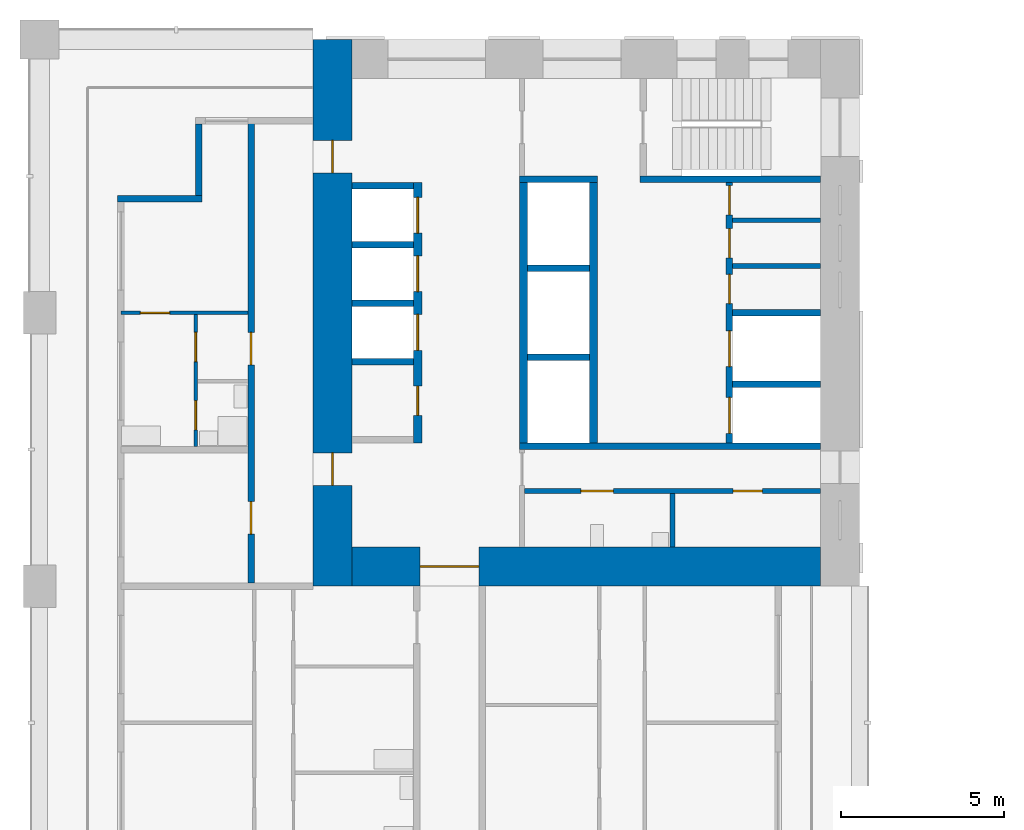
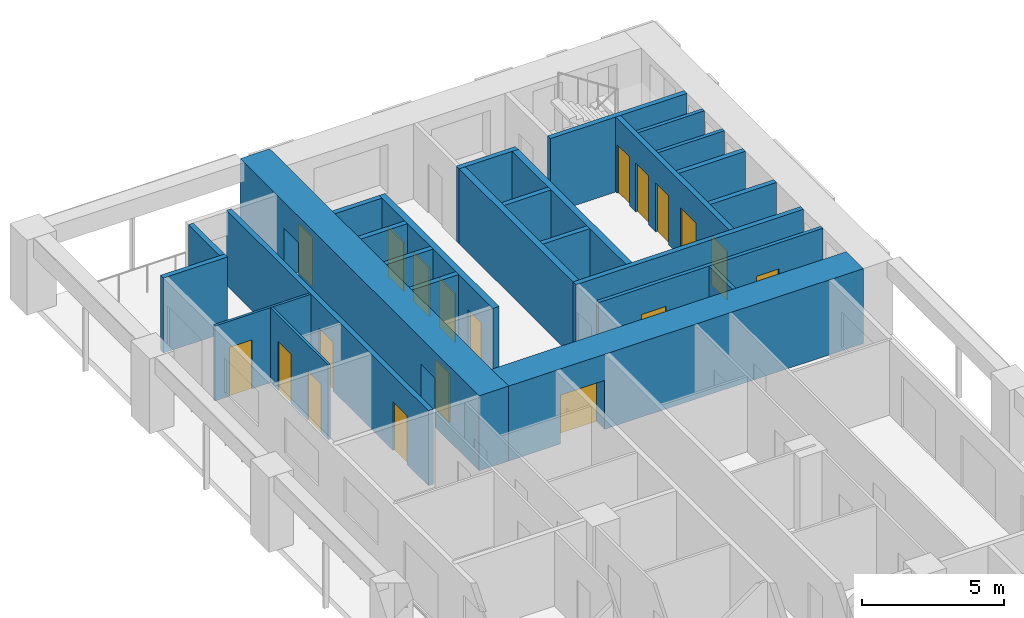
# One storey, part 7 of 17: 26 walls, 19 doors, 19 openings.
"""IFC4 building model written with IfcOpenShell, lengths in metres."""

from ifc_helpers import new_model, si_unit, direction, frame, frame_2d, origin, place, context, subcontext, project, spatial, rectangle, extrude, material, layer, layer_set, type_object, element, fill, save


model = new_model("IFC4")

# Units and contexts
model_context = context("Model", 3, precision=1e-05, world=origin(), true_north=direction((0.0, 1.0)))
body_context = subcontext(model_context, "Body", "Model", "MODEL_VIEW")
ifc_project = project(units=[si_unit("LENGTHUNIT", "METRE"), si_unit("AREAUNIT", "SQUARE_METRE"), si_unit("VOLUMEUNIT", "CUBIC_METRE"), si_unit("PLANEANGLEUNIT", "RADIAN"), si_unit("MASSUNIT", "GRAM", prefix="KILO")], contexts=[model_context])

# Site, building, storey
site_placement = place(None, origin())
site = spatial("IfcSite", under=ifc_project, at=site_placement, CompositionType="ELEMENT")
building_placement = place(site_placement, origin())
building = spatial("IfcBuilding", under=site, at=building_placement, Name="Vermilion Gate Residences", CompositionType="ELEMENT")
storey_placement = place(building_placement, frame((0.0, 0.0, 116.199951171875)))
storey = spatial("IfcBuildingStorey", under=building, at=storey_placement, Name="L29", CompositionType="ELEMENT", Elevation=116.199951171875)

# Walls
ifc_material_1 = material(Name="Masonry blockwork", Category="masonry")
ifc_layer_1 = layer(ifc_material_1, 0.14990234375)
ifc_layer_set_1 = layer_set([ifc_layer_1], Name="BLOCKWORK PARTITION 150 EI 120")
wall_type_1 = type_object("IfcWallType", Name="BLOCKWORK PARTITION 150 EI 120", PredefinedType="PARTITIONING", material=ifc_layer_set_1)
for number, where, z_axis, x_axis, name in (
    (1, (21.300048828125, 53.2451171875, 0.0), (0.0, 0.0, 1.0), (1.0, 0.0, 0.0), "Core room partition B29-NR-P0"),
    (2, (21.300048828125, 51.8349609375, 0.0), (0.0, 0.0, 1.0), (1.0, 0.0, 0.0), "Core room partition B29-NR-P1"),
):
    element("IfcWall", number, at=place(storey_placement, frame(where, z_axis=z_axis, x_axis=x_axis)), inside=storey, type_object=wall_type_1, Name=name, PredefinedType="PARTITIONING", context=body_context, shape_type="SweptSolid", body=[
        extrude(rectangle(XDim=2.699951171875, YDim=0.14990234375, at=frame_2d((1.35009765625, 0.0))), origin(), (0.0, 0.0, 1.0), 3.219970703125),
    ])
wall_1_placement = place(storey_placement, frame((19.449951171875, 44.85009765625, 0.0), z_axis=(0.0, 0.0, 1.0), x_axis=(0.0, -1.0, 0.0)))
element("IfcWall", 3, at=wall_1_placement, inside=storey, type_object=wall_type_1, Name="Core room partition B29-ES-P0", PredefinedType="PARTITIONING", context=body_context, shape_type="SweptSolid", body=[
    extrude(rectangle(XDim=1.650146484375, YDim=0.14990234375, at=frame_2d((0.8251953125, 0.0))), origin(), (0.0, 0.0, 1.0), 3.219970703125),
])

# Wall, openings, doors
wall_2_placement = place(storey_placement, frame((14.89990234375, 44.925048828125, 0.0), z_axis=(0.0, 0.0, 1.0), x_axis=(1.0, 0.0, 0.0)))
wall_2 = element("IfcWall", 4, at=wall_2_placement, inside=storey, type_object=wall_type_1, Name="Core room partition B29-ES-W", PredefinedType="PARTITIONING", context=body_context, shape_type="SweptSolid", body=[
    extrude(rectangle(XDim=9.10009765625, YDim=0.14990234375, at=frame_2d((4.550048828125, 0.0))), origin(), (0.0, 0.0, 1.0), 3.219970703125),
])
opening_1_placement = place(wall_2_placement, frame((1.737548828125, 0.0, 0.0)))
opening_1 = element("IfcOpeningElement", 5, at=opening_1_placement, cuts=wall_2, Name="Opening DK29116", PredefinedType="OPENING", context=body_context, shape_type="SweptSolid", body=[
    extrude(rectangle(XDim=1.0, YDim=2.10009765625, at=frame_2d((0.5, 1.050048828125))), frame((0.0, 0.0849609375, 0.0), z_axis=(0.0, -1.0, 0.0), x_axis=(1.0, 0.0, 0.0)), (0.0, 0.0, 1.0), 0.169921875),
])
opening_2_placement = place(wall_2_placement, frame((6.41259765625, 0.0, 0.0)))
opening_2 = element("IfcOpeningElement", 6, at=opening_2_placement, cuts=wall_2, Name="Opening DK29117", PredefinedType="OPENING", context=body_context, shape_type="SweptSolid", body=[
    extrude(rectangle(XDim=0.89990234375, YDim=2.10009765625, at=frame_2d((0.449951171875, 1.050048828125))), frame((0.0, 0.0849609375, 0.0), z_axis=(0.0, -1.0, 0.0), x_axis=(1.0, 0.0, 0.0)), (0.0, 0.0, 1.0), 0.169921875),
])
ifc_material_2 = material(Name="Steel", Category="steel")
door_type_1 = type_object("IfcDoorType", Name="FIRE DOOR FD60 1000 X 2100", OperationType="SINGLE_SWING_LEFT", PredefinedType="DOOR", material=ifc_material_2)
door_1_placement = place(opening_1_placement, frame((1.0, 0.0, 0.0), z_axis=(0.0, 0.0, 1.0), x_axis=(-1.0, 0.0, 0.0)))
door_1 = element("IfcDoor", 7, at=door_1_placement, inside=storey, type_object=door_type_1, Name="Accessible WC B29", OperationType="SINGLE_SWING_RIGHT", OverallHeight=2.10009765625, OverallWidth=1.0, PredefinedType="DOOR", context=body_context, shape_type="SweptSolid", body=[
    extrude(rectangle(XDim=1.0, YDim=2.10009765625, at=frame_2d((0.5, 1.050048828125))), frame((0.0, 0.02490234375, 0.0), z_axis=(0.0, -1.0, 0.0), x_axis=(1.0, 0.0, 0.0)), (0.0, 0.0, 1.0), 0.050048828125),
])
fill(opening_1, door_1)
ifc_material_3 = material(Name="Steel", Category="steel")
door_type_2 = type_object("IfcDoorType", Name="SERVICE ROOM DOOR FD60 900 X 2100", OperationType="SINGLE_SWING_LEFT", PredefinedType="DOOR", material=ifc_material_3)
door_2_placement = place(opening_2_placement, frame((0.89990234375, 0.0, 0.0), z_axis=(0.0, 0.0, 1.0), x_axis=(-1.0, 0.0, 0.0)))
door_2 = element("IfcDoor", 8, at=door_2_placement, inside=storey, type_object=door_type_2, Name="Refuse room B29", OperationType="SINGLE_SWING_RIGHT", OverallHeight=2.10009765625, OverallWidth=0.89990234375, PredefinedType="DOOR", context=body_context, shape_type="SweptSolid", body=[
    extrude(rectangle(XDim=0.89990234375, YDim=2.10009765625, at=frame_2d((0.449951171875, 1.050048828125))), frame((0.0, 0.02490234375, 0.0), z_axis=(0.0, -1.0, 0.0), x_axis=(1.0, 0.0, 0.0)), (0.0, 0.0, 1.0), 0.050048828125),
])
fill(opening_2, door_2)

# Walls
ifc_material_4 = material(Name="Insulated steel stud wall with terracotta rainscreen", Category="masonry")
ifc_layer_2 = layer(ifc_material_4, 0.199951171875)
ifc_layer_set_2 = layer_set([ifc_layer_2], Name="EXTERNAL WALL 200 TERRACOTTA RAINSCREEN")
wall_type_2 = type_object("IfcWallType", Name="EXTERNAL WALL 200 TERRACOTTA RAINSCREEN", PredefinedType="SOLIDWALL", material=ifc_layer_set_2)
wall_3_placement = place(storey_placement, frame((4.89990234375, 56.199951171875, 0.0), z_axis=(0.0, 0.0, 1.0), x_axis=(0.0, -1.0, 0.0)))
element("IfcWall", 9, at=wall_3_placement, inside=storey, type_object=wall_type_2, Name="External wall", PredefinedType="SOLIDWALL", context=body_context, shape_type="SweptSolid", body=[
    extrude(rectangle(XDim=2.199951171875, YDim=0.199951171875, at=frame_2d((1.10009765625, 0.0))), origin(), (0.0, 0.0, 1.0), 3.219970703125),
])
wall_4_placement = place(storey_placement, frame((5.0, 53.89990234375, 0.0), z_axis=(0.0, 0.0, 1.0), x_axis=(-1.0, 0.0, 0.0)))
element("IfcWall", 10, at=wall_4_placement, inside=storey, type_object=wall_type_2, Name="External wall", PredefinedType="SOLIDWALL", context=body_context, shape_type="SweptSolid", body=[
    extrude(rectangle(XDim=2.60009765625, YDim=0.199951171875, at=frame_2d((1.300048828125, 0.0))), origin(), (0.0, 0.0, 1.0), 3.219970703125),
])

# Wall, opening, door
ifc_material_5 = material(Name="Plasterboard on steel studs", Category="steel")
ifc_layer_3 = layer(ifc_material_5, 0.10009765625)
ifc_layer_set_3 = layer_set([ifc_layer_3], Name="PARTITION 100")
wall_type_3 = type_object("IfcWallType", Name="PARTITION 100", PredefinedType="PARTITIONING", material=ifc_layer_set_3)
wall_5_placement = place(storey_placement, frame((2.5, 50.39990234375, 0.0), z_axis=(0.0, 0.0, 1.0), x_axis=(1.0, 0.0, 0.0)))
wall_5 = element("IfcWall", 11, at=wall_5_placement, inside=storey, type_object=wall_type_3, Name="Partition", PredefinedType="PARTITIONING", context=body_context, shape_type="SweptSolid", body=[
    extrude(rectangle(XDim=3.89990234375, YDim=0.10009765625, at=frame_2d((1.949951171875, 0.0))), origin(), (0.0, 0.0, 1.0), 3.219970703125),
])
opening_3_placement = place(wall_5_placement, frame((0.60009765625, 0.0, 0.0)))
opening_3 = element("IfcOpeningElement", 12, at=opening_3_placement, cuts=wall_5, Name="Opening DA28019", PredefinedType="OPENING", context=body_context, shape_type="SweptSolid", body=[
    extrude(rectangle(XDim=0.89990234375, YDim=2.10009765625, at=frame_2d((0.449951171875, 1.050048828125))), frame((0.0, 0.06005859375, 0.0), z_axis=(0.0, -1.0, 0.0), x_axis=(1.0, 0.0, 0.0)), (0.0, 0.0, 1.0), 0.1201171875),
])
ifc_material_6 = material(Name="Timber", Category="wood")
door_type_3 = type_object("IfcDoorType", Name="INTERIOR DOOR 900 X 2100", OperationType="SINGLE_SWING_LEFT", PredefinedType="DOOR", material=ifc_material_6)
door_3_placement = place(opening_3_placement, frame((0.89990234375, 0.0, 0.0), z_axis=(0.0, 0.0, 1.0), x_axis=(-1.0, 0.0, 0.0)))
door_3 = element("IfcDoor", 13, at=door_3_placement, inside=storey, type_object=door_type_3, Name="Interior door", OperationType="SINGLE_SWING_RIGHT", OverallHeight=2.10009765625, OverallWidth=0.89990234375, PredefinedType="DOOR", context=body_context, shape_type="SweptSolid", body=[
    extrude(rectangle(XDim=0.89990234375, YDim=2.10009765625, at=frame_2d((0.449951171875, 1.050048828125))), frame((0.0, 0.02490234375, 0.0), z_axis=(0.0, -1.0, 0.0), x_axis=(1.0, 0.0, 0.0)), (0.0, 0.0, 1.0), 0.050048828125),
])
fill(opening_3, door_3)

# Wall, openings, doors
wall_6_placement = place(storey_placement, frame((4.800048828125, 46.300048828125, 0.0), z_axis=(0.0, 0.0, 1.0), x_axis=(0.0, 1.0, 0.0)))
wall_6 = element("IfcWall", 14, at=wall_6_placement, inside=storey, type_object=wall_type_3, Name="Partition", PredefinedType="PARTITIONING", context=body_context, shape_type="SweptSolid", body=[
    extrude(rectangle(XDim=4.050048828125, YDim=0.10009765625, at=frame_2d((2.02490234375, 0.0))), origin(), (0.0, 0.0, 1.0), 3.219970703125),
])
opening_4_placement = place(wall_6_placement, frame((2.60009765625, 0.0, 0.0)))
opening_4 = element("IfcOpeningElement", 15, at=opening_4_placement, cuts=wall_6, Name="Opening DA28020", PredefinedType="OPENING", context=body_context, shape_type="SweptSolid", body=[
    extrude(rectangle(XDim=0.89990234375, YDim=2.10009765625, at=frame_2d((0.449951171875, 1.050048828125))), frame((0.0, 0.06005859375, 0.0), z_axis=(0.0, -1.0, 0.0), x_axis=(1.0, 0.0, 0.0)), (0.0, 0.0, 1.0), 0.1201171875),
])
opening_5_placement = place(wall_6_placement, frame((0.5, 0.0, 0.0)))
opening_5 = element("IfcOpeningElement", 16, at=opening_5_placement, cuts=wall_6, Name="Opening DA28021", PredefinedType="OPENING", context=body_context, shape_type="SweptSolid", body=[
    extrude(rectangle(XDim=0.89990234375, YDim=2.10009765625, at=frame_2d((0.449951171875, 1.050048828125))), frame((0.0, 0.06005859375, 0.0), z_axis=(0.0, -1.0, 0.0), x_axis=(1.0, 0.0, 0.0)), (0.0, 0.0, 1.0), 0.1201171875),
])
door_4_placement = place(opening_4_placement, origin())
door_4 = element("IfcDoor", 17, at=door_4_placement, inside=storey, type_object=door_type_3, Name="Interior door", OperationType="SINGLE_SWING_RIGHT", OverallHeight=2.10009765625, OverallWidth=0.89990234375, PredefinedType="DOOR", context=body_context, shape_type="SweptSolid", body=[
    extrude(rectangle(XDim=0.89990234375, YDim=2.10009765625, at=frame_2d((0.449951171875, 1.050048828125))), frame((0.0, 0.02490234375, 0.0), z_axis=(0.0, -1.0, 0.0), x_axis=(1.0, 0.0, 0.0)), (0.0, 0.0, 1.0), 0.050048828125),
])
fill(opening_4, door_4)
door_5_placement = place(opening_5_placement, frame((0.89990234375, 0.0, 0.0), z_axis=(0.0, 0.0, 1.0), x_axis=(-1.0, 0.0, 0.0)))
door_5 = element("IfcDoor", 18, at=door_5_placement, inside=storey, type_object=door_type_3, Name="Interior door", OperationType="SINGLE_SWING_RIGHT", OverallHeight=2.10009765625, OverallWidth=0.89990234375, PredefinedType="DOOR", context=body_context, shape_type="SweptSolid", body=[
    extrude(rectangle(XDim=0.89990234375, YDim=2.10009765625, at=frame_2d((0.449951171875, 1.050048828125))), frame((0.0, 0.02490234375, 0.0), z_axis=(0.0, -1.0, 0.0), x_axis=(1.0, 0.0, 0.0)), (0.0, 0.0, 1.0), 0.050048828125),
])
fill(opening_5, door_5)

ifc_material_7 = material(Name="Fire-rated plasterboard on steel studs", Category="steel")
ifc_layer_4 = layer(ifc_material_7, 0.199951171875)
ifc_layer_set_4 = layer_set([ifc_layer_4], Name="PARTY WALL 200 EI 120")
wall_type_4 = type_object("IfcWallType", Name="PARTY WALL 200 EI 120", PredefinedType="PARTITIONING", material=ifc_layer_set_4)
wall_7_placement = place(storey_placement, frame((6.5, 42.10009765625, 0.0), z_axis=(0.0, 0.0, 1.0), x_axis=(0.0, 1.0, 0.0)))
wall_7 = element("IfcWall", 19, at=wall_7_placement, inside=storey, type_object=wall_type_4, Name="Party and corridor wall", PredefinedType="PARTITIONING", context=body_context, shape_type="SweptSolid", body=[
    extrude(rectangle(XDim=14.199951171875, YDim=0.199951171875, at=frame_2d((7.10009765625, 0.0))), origin(), (0.0, 0.0, 1.0), 3.219970703125),
])
opening_6_placement = place(wall_7_placement, frame((1.5, 0.0, 0.0)))
opening_6 = element("IfcOpeningElement", 20, at=opening_6_placement, cuts=wall_7, Name="Opening DA28022", PredefinedType="OPENING", context=body_context, shape_type="SweptSolid", body=[
    extrude(rectangle(XDim=1.0, YDim=2.10009765625, at=frame_2d((0.5, 1.050048828125))), frame((0.0, 0.10986328125, 0.0), z_axis=(0.0, -1.0, 0.0), x_axis=(1.0, 0.0, 0.0)), (0.0, 0.0, 1.0), 0.219970703125),
])
opening_7_placement = place(wall_7_placement, frame((6.699951171875, 0.0, 0.0)))
opening_7 = element("IfcOpeningElement", 21, at=opening_7_placement, cuts=wall_7, Name="Opening DA28023", PredefinedType="OPENING", context=body_context, shape_type="SweptSolid", body=[
    extrude(rectangle(XDim=1.0, YDim=2.10009765625, at=frame_2d((0.5, 1.050048828125))), frame((0.0, 0.10986328125, 0.0), z_axis=(0.0, -1.0, 0.0), x_axis=(1.0, 0.0, 0.0)), (0.0, 0.0, 1.0), 0.219970703125),
])
ifc_material_8 = material(Name="Steel", Category="steel")
door_type_4 = type_object("IfcDoorType", Name="ENTRANCE DOOR 1000 X 2100 FD30", OperationType="SINGLE_SWING_LEFT", PredefinedType="DOOR", material=ifc_material_8)
door_6_placement = place(opening_6_placement, origin())
door_6 = element("IfcDoor", 22, at=door_6_placement, inside=storey, type_object=door_type_4, Name="Entrance door", OperationType="SINGLE_SWING_LEFT", OverallHeight=2.10009765625, OverallWidth=1.0, PredefinedType="DOOR", context=body_context, shape_type="SweptSolid", body=[
    extrude(rectangle(XDim=1.0, YDim=2.10009765625, at=frame_2d((0.5, 1.050048828125))), frame((0.0, 0.02490234375, 0.0), z_axis=(0.0, -1.0, 0.0), x_axis=(1.0, 0.0, 0.0)), (0.0, 0.0, 1.0), 0.050048828125),
])
fill(opening_6, door_6)
door_7_placement = place(opening_7_placement, origin())
door_7 = element("IfcDoor", 23, at=door_7_placement, inside=storey, type_object=door_type_4, Name="Entrance door", OperationType="SINGLE_SWING_LEFT", OverallHeight=2.10009765625, OverallWidth=1.0, PredefinedType="DOOR", context=body_context, shape_type="SweptSolid", body=[
    extrude(rectangle(XDim=1.0, YDim=2.10009765625, at=frame_2d((0.5, 1.050048828125))), frame((0.0, 0.02490234375, 0.0), z_axis=(0.0, -1.0, 0.0), x_axis=(1.0, 0.0, 0.0)), (0.0, 0.0, 1.0), 0.050048828125),
])
fill(opening_7, door_7)

# Walls
ifc_material_9 = material(Name="Concrete C60", Category="concrete")
ifc_layer_5 = layer(ifc_material_9, 0.199951171875)
ifc_layer_set_5 = layer_set([ifc_layer_5], Name="RC CORE INTERNAL WALL 200 C60")
wall_type_5 = type_object("IfcWallType", Name="RC CORE INTERNAL WALL 200 C60", PredefinedType="SHEAR", material=ifc_layer_set_5)
for number, where, z_axis, x_axis, name in (
    (24, (9.60009765625, 54.300048828125, 0.0), (0.0, 0.0, 1.0), (1.0, 0.0, 0.0), "Core internal wall B29-LR-D0"),
    (25, (9.60009765625, 52.5, 0.0), (0.0, 0.0, 1.0), (1.0, 0.0, 0.0), "Core internal wall B29-LR-D1"),
    (26, (9.60009765625, 50.699951171875, 0.0), (0.0, 0.0, 1.0), (1.0, 0.0, 0.0), "Core internal wall B29-LR-D2"),
    (27, (9.60009765625, 48.89990234375, 0.0), (0.0, 0.0, 1.0), (1.0, 0.0, 0.0), "Core internal wall B29-LR-D3"),
    (28, (15.0, 51.7666015625, 0.0), (0.0, 0.0, 1.0), (1.0, 0.0, 0.0), "Core internal wall B29-HR-D1"),
    (29, (15.0, 49.033447265625, 0.0), (0.0, 0.0, 1.0), (1.0, 0.0, 0.0), "Core internal wall B29-HR-D2"),
):
    element("IfcWall", number, at=place(storey_placement, frame(where, z_axis=z_axis, x_axis=x_axis)), inside=storey, type_object=wall_type_5, Name=name, PredefinedType="SHEAR", context=body_context, shape_type="SweptSolid", body=[
        extrude(rectangle(XDim=1.89990234375, YDim=0.199951171875, at=frame_2d((0.949951171875, 0.0))), origin(), (0.0, 0.0, 1.0), 3.219970703125),
    ])
for number, where, z_axis, x_axis, name in (
    (30, (21.300048828125, 50.39990234375, 0.0), (0.0, 0.0, 1.0), (1.0, 0.0, 0.0), "Core internal wall B29-FF-D0"),
    (31, (21.300048828125, 48.199951171875, 0.0), (0.0, 0.0, 1.0), (1.0, 0.0, 0.0), "Core internal wall B29-FF-D1"),
):
    element("IfcWall", number, at=place(storey_placement, frame(where, z_axis=z_axis, x_axis=x_axis)), inside=storey, type_object=wall_type_5, Name=name, PredefinedType="SHEAR", context=body_context, shape_type="SweptSolid", body=[
        extrude(rectangle(XDim=2.699951171875, YDim=0.199951171875, at=frame_2d((1.35009765625, 0.0))), origin(), (0.0, 0.0, 1.0), 3.219970703125),
    ])

# Wall, openings, doors
wall_8_placement = place(storey_placement, frame((21.199951171875, 54.39990234375, 0.0), z_axis=(0.0, 0.0, 1.0), x_axis=(0.0, -1.0, 0.0)))
wall_8 = element("IfcWall", 32, at=wall_8_placement, inside=storey, type_object=wall_type_5, Name="Core internal wall B29-FF-F", PredefinedType="SHEAR", context=body_context, shape_type="SweptSolid", body=[
    extrude(rectangle(XDim=8.0, YDim=0.199951171875, at=frame_2d((4.0, 0.0))), origin(), (0.0, 0.0, 1.0), 3.219970703125),
])
opening_8_placement = place(wall_8_placement, frame((0.090087890625, 0.0, 0.0)))
opening_8 = element("IfcOpeningElement", 33, at=opening_8_placement, cuts=wall_8, Name="Opening DK29108", PredefinedType="OPENING", context=body_context, shape_type="SweptSolid", body=[
    extrude(rectangle(XDim=0.89990234375, YDim=2.10009765625, at=frame_2d((0.449951171875, 1.050048828125))), frame((0.0, 0.10986328125, 0.0), z_axis=(0.0, -1.0, 0.0), x_axis=(1.0, 0.0, 0.0)), (0.0, 0.0, 1.0), 0.219970703125),
])
opening_9_placement = place(wall_8_placement, frame((1.409912109375, 0.0, 0.0)))
opening_9 = element("IfcOpeningElement", 34, at=opening_9_placement, cuts=wall_8, Name="Opening DK29109", PredefinedType="OPENING", context=body_context, shape_type="SweptSolid", body=[
    extrude(rectangle(XDim=0.89990234375, YDim=2.10009765625, at=frame_2d((0.449951171875, 1.050048828125))), frame((0.0, 0.10986328125, 0.0), z_axis=(0.0, -1.0, 0.0), x_axis=(1.0, 0.0, 0.0)), (0.0, 0.0, 1.0), 0.219970703125),
])
opening_10_placement = place(wall_8_placement, frame((2.820068359375, 0.0, 0.0)))
opening_10 = element("IfcOpeningElement", 35, at=opening_10_placement, cuts=wall_8, Name="Opening DK29110", PredefinedType="OPENING", context=body_context, shape_type="SweptSolid", body=[
    extrude(rectangle(XDim=0.89990234375, YDim=2.10009765625, at=frame_2d((0.449951171875, 1.050048828125))), frame((0.0, 0.10986328125, 0.0), z_axis=(0.0, -1.0, 0.0), x_axis=(1.0, 0.0, 0.0)), (0.0, 0.0, 1.0), 0.219970703125),
])
opening_11_placement = place(wall_8_placement, frame((4.550048828125, 0.0, 0.0)))
opening_11 = element("IfcOpeningElement", 36, at=opening_11_placement, cuts=wall_8, Name="Opening LD", PredefinedType="OPENING", context=body_context, shape_type="SweptSolid", body=[
    extrude(rectangle(XDim=1.10009765625, YDim=2.10009765625, at=frame_2d((0.550048828125, 1.050048828125))), frame((0.0, 0.10986328125, 0.0), z_axis=(0.0, -1.0, 0.0), x_axis=(1.0, 0.0, 0.0)), (0.0, 0.0, 1.0), 0.219970703125),
])
opening_12_placement = place(wall_8_placement, frame((6.60009765625, 0.0, 0.0)))
opening_12 = element("IfcOpeningElement", 37, at=opening_12_placement, cuts=wall_8, Name="Opening LD", PredefinedType="OPENING", context=body_context, shape_type="SweptSolid", body=[
    extrude(rectangle(XDim=1.10009765625, YDim=2.10009765625, at=frame_2d((0.550048828125, 1.050048828125))), frame((0.0, 0.10986328125, 0.0), z_axis=(0.0, -1.0, 0.0), x_axis=(1.0, 0.0, 0.0)), (0.0, 0.0, 1.0), 0.219970703125),
])
ifc_material_10 = material(Name="Stainless steel", Category="steel")
door_type_5 = type_object("IfcDoorType", Name="LIFT LANDING DOOR E60 1100 X 2100", OperationType="DOUBLE_DOOR_SLIDING", PredefinedType="DOOR", material=ifc_material_10)
door_8_placement = place(opening_11_placement, origin())
door_8 = element("IfcDoor", 38, at=door_8_placement, inside=storey, type_object=door_type_5, Name="Lift landing door LFB1", OperationType="DOUBLE_DOOR_SLIDING", OverallHeight=2.10009765625, OverallWidth=1.10009765625, PredefinedType="DOOR", context=body_context, shape_type="SweptSolid", body=[
    extrude(rectangle(XDim=1.10009765625, YDim=2.10009765625, at=frame_2d((0.550048828125, 1.050048828125))), frame((0.0, 0.02490234375, 0.0), z_axis=(0.0, -1.0, 0.0), x_axis=(1.0, 0.0, 0.0)), (0.0, 0.0, 1.0), 0.050048828125),
])
fill(opening_11, door_8)
door_9_placement = place(opening_12_placement, origin())
door_9 = element("IfcDoor", 39, at=door_9_placement, inside=storey, type_object=door_type_5, Name="Lift landing door LCB1", OperationType="DOUBLE_DOOR_SLIDING", OverallHeight=2.10009765625, OverallWidth=1.10009765625, PredefinedType="DOOR", context=body_context, shape_type="SweptSolid", body=[
    extrude(rectangle(XDim=1.10009765625, YDim=2.10009765625, at=frame_2d((0.550048828125, 1.050048828125))), frame((0.0, 0.02490234375, 0.0), z_axis=(0.0, -1.0, 0.0), x_axis=(1.0, 0.0, 0.0)), (0.0, 0.0, 1.0), 0.050048828125),
])
fill(opening_12, door_9)
door_10_placement = place(opening_8_placement, origin())
door_10 = element("IfcDoor", 40, at=door_10_placement, inside=storey, type_object=door_type_2, Name="Electrical riser B29", OperationType="SINGLE_SWING_RIGHT", OverallHeight=2.10009765625, OverallWidth=0.89990234375, PredefinedType="DOOR", context=body_context, shape_type="SweptSolid", body=[
    extrude(rectangle(XDim=0.89990234375, YDim=2.10009765625, at=frame_2d((0.449951171875, 1.050048828125))), frame((0.0, 0.02490234375, 0.0), z_axis=(0.0, -1.0, 0.0), x_axis=(1.0, 0.0, 0.0)), (0.0, 0.0, 1.0), 0.050048828125),
])
fill(opening_8, door_10)
door_11_placement = place(opening_9_placement, origin())
door_11 = element("IfcDoor", 41, at=door_11_placement, inside=storey, type_object=door_type_2, Name="Cleaner's store B29", OperationType="SINGLE_SWING_LEFT", OverallHeight=2.10009765625, OverallWidth=0.89990234375, PredefinedType="DOOR", context=body_context, shape_type="SweptSolid", body=[
    extrude(rectangle(XDim=0.89990234375, YDim=2.10009765625, at=frame_2d((0.449951171875, 1.050048828125))), frame((0.0, 0.02490234375, 0.0), z_axis=(0.0, -1.0, 0.0), x_axis=(1.0, 0.0, 0.0)), (0.0, 0.0, 1.0), 0.050048828125),
])
fill(opening_9, door_11)
door_12_placement = place(opening_10_placement, origin())
door_12 = element("IfcDoor", 42, at=door_12_placement, inside=storey, type_object=door_type_2, Name="Communications riser B29", OperationType="SINGLE_SWING_LEFT", OverallHeight=2.10009765625, OverallWidth=0.89990234375, PredefinedType="DOOR", context=body_context, shape_type="SweptSolid", body=[
    extrude(rectangle(XDim=0.89990234375, YDim=2.10009765625, at=frame_2d((0.449951171875, 1.050048828125))), frame((0.0, 0.02490234375, 0.0), z_axis=(0.0, -1.0, 0.0), x_axis=(1.0, 0.0, 0.0)), (0.0, 0.0, 1.0), 0.050048828125),
])
fill(opening_10, door_12)

# Walls
wall_9_placement = place(storey_placement, frame((14.75, 54.5, 0.0), z_axis=(0.0, 0.0, 1.0), x_axis=(1.0, 0.0, 0.0)))
element("IfcWall", 43, at=wall_9_placement, inside=storey, type_object=wall_type_5, Name="Core internal wall B29-WDIV1", PredefinedType="SHEAR", context=body_context, shape_type="SweptSolid", body=[
    extrude(rectangle(XDim=2.39990234375, YDim=0.199951171875, at=frame_2d((1.199951171875, 0.0))), origin(), (0.0, 0.0, 1.0), 3.219970703125),
])
wall_10_placement = place(storey_placement, frame((18.449951171875, 54.5, 0.0), z_axis=(0.0, 0.0, 1.0), x_axis=(1.0, 0.0, 0.0)))
element("IfcWall", 44, at=wall_10_placement, inside=storey, type_object=wall_type_5, Name="Core internal wall B29-WDIV2", PredefinedType="SHEAR", context=body_context, shape_type="SweptSolid", body=[
    extrude(rectangle(XDim=5.550048828125, YDim=0.199951171875, at=frame_2d((2.77490234375, 0.0))), origin(), (0.0, 0.0, 1.0), 3.219970703125),
])
wall_11_placement = place(storey_placement, frame((14.75, 46.300048828125, 0.0), z_axis=(0.0, 0.0, 1.0), x_axis=(1.0, 0.0, 0.0)))
element("IfcWall", 45, at=wall_11_placement, inside=storey, type_object=wall_type_5, Name="Core internal wall B29-EDIV", PredefinedType="SHEAR", context=body_context, shape_type="SweptSolid", body=[
    extrude(rectangle(XDim=9.25, YDim=0.199951171875, at=frame_2d((4.625, 0.0))), origin(), (0.0, 0.0, 1.0), 3.219970703125),
])

# Wall, openings, doors
ifc_material_11 = material(Name="Concrete C70", Category="concrete")
ifc_layer_6 = layer(ifc_material_11, 1.199951171875)
ifc_layer_set_6 = layer_set([ifc_layer_6], Name="RC CORE WALL 1200 C70")
wall_type_6 = type_object("IfcWallType", Name="RC CORE WALL 1200 C70", PredefinedType="SHEAR", material=ifc_layer_set_6)
wall_12_placement = place(storey_placement, frame((9.0, 58.800048828125, 0.0), z_axis=(0.0, 0.0, 1.0), x_axis=(0.0, -1.0, 0.0)))
wall_12 = element("IfcWall", 46, at=wall_12_placement, inside=storey, type_object=wall_type_6, Name="Core wall B29-OUT-B0", PredefinedType="SHEAR", context=body_context, shape_type="SweptSolid", body=[
    extrude(rectangle(XDim=16.800048828125, YDim=1.199951171875, at=frame_2d((8.39990234375, 0.0))), origin(), (0.0, 0.0, 1.0), 3.219970703125),
])
opening_13_placement = place(wall_12_placement, frame((3.10009765625, 0.0, 0.0)))
opening_13 = element("IfcOpeningElement", 47, at=opening_13_placement, cuts=wall_12, Name="Opening DK29101", PredefinedType="OPENING", context=body_context, shape_type="SweptSolid", body=[
    extrude(rectangle(XDim=1.0, YDim=2.10009765625, at=frame_2d((0.5, 1.050048828125))), frame((0.0, 0.60986328125, 0.0), z_axis=(0.0, -1.0, 0.0), x_axis=(1.0, 0.0, 0.0)), (0.0, 0.0, 1.0), 1.219970703125),
])
opening_14_placement = place(wall_12_placement, frame((12.699951171875, 0.0, 0.0)))
opening_14 = element("IfcOpeningElement", 48, at=opening_14_placement, cuts=wall_12, Name="Opening DK29102", PredefinedType="OPENING", context=body_context, shape_type="SweptSolid", body=[
    extrude(rectangle(XDim=1.0, YDim=2.10009765625, at=frame_2d((0.5, 1.050048828125))), frame((0.0, 0.60986328125, 0.0), z_axis=(0.0, -1.0, 0.0), x_axis=(1.0, 0.0, 0.0)), (0.0, 0.0, 1.0), 1.219970703125),
])
door_13_placement = place(opening_13_placement, origin())
door_13 = element("IfcDoor", 49, at=door_13_placement, inside=storey, type_object=door_type_1, Name="Core lobby side door B29", OperationType="SINGLE_SWING_RIGHT", OverallHeight=2.10009765625, OverallWidth=1.0, PredefinedType="DOOR", context=body_context, shape_type="SweptSolid", body=[
    extrude(rectangle(XDim=1.0, YDim=2.10009765625, at=frame_2d((0.5, 1.050048828125))), frame((0.0, 0.02490234375, 0.0), z_axis=(0.0, -1.0, 0.0), x_axis=(1.0, 0.0, 0.0)), (0.0, 0.0, 1.0), 0.050048828125),
])
fill(opening_13, door_13)
door_14_placement = place(opening_14_placement, origin())
door_14 = element("IfcDoor", 50, at=door_14_placement, inside=storey, type_object=door_type_1, Name="Core lobby side door B29", OperationType="SINGLE_SWING_LEFT", OverallHeight=2.10009765625, OverallWidth=1.0, PredefinedType="DOOR", context=body_context, shape_type="SweptSolid", body=[
    extrude(rectangle(XDim=1.0, YDim=2.10009765625, at=frame_2d((0.5, 1.050048828125))), frame((0.0, 0.02490234375, 0.0), z_axis=(0.0, -1.0, 0.0), x_axis=(1.0, 0.0, 0.0)), (0.0, 0.0, 1.0), 0.050048828125),
])
fill(opening_14, door_14)

# Wall, opening, door
wall_13_placement = place(storey_placement, frame((9.60009765625, 42.60009765625, 0.0), z_axis=(0.0, 0.0, 1.0), x_axis=(1.0, 0.0, 0.0)))
wall_13 = element("IfcWall", 51, at=wall_13_placement, inside=storey, type_object=wall_type_6, Name="Core wall B29-OUT-BK", PredefinedType="SHEAR", context=body_context, shape_type="SweptSolid", body=[
    extrude(rectangle(XDim=14.39990234375, YDim=1.199951171875, at=frame_2d((7.199951171875, 0.0))), origin(), (0.0, 0.0, 1.0), 3.219970703125),
])
opening_15_placement = place(wall_13_placement, frame((2.10009765625, 0.0, 0.0)))
opening_15 = element("IfcOpeningElement", 52, at=opening_15_placement, cuts=wall_13, Name="Opening DK29103", PredefinedType="OPENING", context=body_context, shape_type="SweptSolid", body=[
    extrude(rectangle(XDim=1.800048828125, YDim=2.10009765625, at=frame_2d((0.89990234375, 1.050048828125))), frame((0.0, 0.60986328125, 0.0), z_axis=(0.0, -1.0, 0.0), x_axis=(1.0, 0.0, 0.0)), (0.0, 0.0, 1.0), 1.219970703125),
])
ifc_material_12 = material(Name="Steel", Category="steel")
door_type_6 = type_object("IfcDoorType", Name="CORE LOBBY DOOR FD60 1800 X 2100", OperationType="DOUBLE_DOOR_SINGLE_SWING", PredefinedType="DOOR", material=ifc_material_12)
door_15_placement = place(opening_15_placement, origin())
door_15 = element("IfcDoor", 53, at=door_15_placement, inside=storey, type_object=door_type_6, Name="Core lobby door B29", OperationType="DOUBLE_DOOR_SINGLE_SWING", OverallHeight=2.10009765625, OverallWidth=1.800048828125, PredefinedType="DOOR", context=body_context, shape_type="SweptSolid", body=[
    extrude(rectangle(XDim=1.800048828125, YDim=2.10009765625, at=frame_2d((0.89990234375, 1.050048828125))), frame((0.0, 0.02490234375, 0.0), z_axis=(0.0, -1.0, 0.0), x_axis=(1.0, 0.0, 0.0)), (0.0, 0.0, 1.0), 0.050048828125),
])
fill(opening_15, door_15)

# Wall, openings, doors
ifc_material_13 = material(Name="Concrete C60", Category="concrete")
ifc_layer_7 = layer(ifc_material_13, 0.25)
ifc_layer_set_7 = layer_set([ifc_layer_7], Name="RC LIFT SHAFT WALL 250 C60")
wall_type_7 = type_object("IfcWallType", Name="RC LIFT SHAFT WALL 250 C60", PredefinedType="SHEAR", material=ifc_layer_set_7)
wall_14_placement = place(storey_placement, frame((11.625, 54.39990234375, 0.0), z_axis=(0.0, 0.0, 1.0), x_axis=(0.0, -1.0, 0.0)))
wall_14 = element("IfcWall", 54, at=wall_14_placement, inside=storey, type_object=wall_type_7, Name="Lift shaft wall B29-LR-F", PredefinedType="SHEAR", context=body_context, shape_type="SweptSolid", body=[
    extrude(rectangle(XDim=8.0, YDim=0.25, at=frame_2d((4.0, 0.0))), origin(), (0.0, 0.0, 1.0), 3.219970703125),
])
opening_16_placement = place(wall_14_placement, frame((0.449951171875, 0.0, 0.0)))
opening_16 = element("IfcOpeningElement", 55, at=opening_16_placement, cuts=wall_14, Name="Opening LD", PredefinedType="OPENING", context=body_context, shape_type="SweptSolid", body=[
    extrude(rectangle(XDim=1.10009765625, YDim=2.10009765625, at=frame_2d((0.550048828125, 1.050048828125))), frame((0.0, 0.135009765625, 0.0), z_axis=(0.0, -1.0, 0.0), x_axis=(1.0, 0.0, 0.0)), (0.0, 0.0, 1.0), 0.27001953125),
])
opening_17_placement = place(wall_14_placement, frame((2.25, 0.0, 0.0)))
opening_17 = element("IfcOpeningElement", 56, at=opening_17_placement, cuts=wall_14, Name="Opening LD", PredefinedType="OPENING", context=body_context, shape_type="SweptSolid", body=[
    extrude(rectangle(XDim=1.10009765625, YDim=2.10009765625, at=frame_2d((0.550048828125, 1.050048828125))), frame((0.0, 0.135009765625, 0.0), z_axis=(0.0, -1.0, 0.0), x_axis=(1.0, 0.0, 0.0)), (0.0, 0.0, 1.0), 0.27001953125),
])
opening_18_placement = place(wall_14_placement, frame((4.050048828125, 0.0, 0.0)))
opening_18 = element("IfcOpeningElement", 57, at=opening_18_placement, cuts=wall_14, Name="Opening LD", PredefinedType="OPENING", context=body_context, shape_type="SweptSolid", body=[
    extrude(rectangle(XDim=1.10009765625, YDim=2.10009765625, at=frame_2d((0.550048828125, 1.050048828125))), frame((0.0, 0.135009765625, 0.0), z_axis=(0.0, -1.0, 0.0), x_axis=(1.0, 0.0, 0.0)), (0.0, 0.0, 1.0), 0.27001953125),
])
opening_19_placement = place(wall_14_placement, frame((6.25, 0.0, 0.0)))
opening_19 = element("IfcOpeningElement", 58, at=opening_19_placement, cuts=wall_14, Name="Opening DK29107", PredefinedType="OPENING", context=body_context, shape_type="SweptSolid", body=[
    extrude(rectangle(XDim=0.89990234375, YDim=2.10009765625, at=frame_2d((0.449951171875, 1.050048828125))), frame((0.0, 0.135009765625, 0.0), z_axis=(0.0, -1.0, 0.0), x_axis=(1.0, 0.0, 0.0)), (0.0, 0.0, 1.0), 0.27001953125),
])
door_16_placement = place(opening_16_placement, origin())
door_16 = element("IfcDoor", 59, at=door_16_placement, inside=storey, type_object=door_type_5, Name="Lift landing door LRB1", OperationType="DOUBLE_DOOR_SLIDING", OverallHeight=2.10009765625, OverallWidth=1.10009765625, PredefinedType="DOOR", context=body_context, shape_type="SweptSolid", body=[
    extrude(rectangle(XDim=1.10009765625, YDim=2.10009765625, at=frame_2d((0.550048828125, 1.050048828125))), frame((0.0, 0.02490234375, 0.0), z_axis=(0.0, -1.0, 0.0), x_axis=(1.0, 0.0, 0.0)), (0.0, 0.0, 1.0), 0.050048828125),
])
fill(opening_16, door_16)
door_17_placement = place(opening_17_placement, origin())
door_17 = element("IfcDoor", 60, at=door_17_placement, inside=storey, type_object=door_type_5, Name="Lift landing door LRB2", OperationType="DOUBLE_DOOR_SLIDING", OverallHeight=2.10009765625, OverallWidth=1.10009765625, PredefinedType="DOOR", context=body_context, shape_type="SweptSolid", body=[
    extrude(rectangle(XDim=1.10009765625, YDim=2.10009765625, at=frame_2d((0.550048828125, 1.050048828125))), frame((0.0, 0.02490234375, 0.0), z_axis=(0.0, -1.0, 0.0), x_axis=(1.0, 0.0, 0.0)), (0.0, 0.0, 1.0), 0.050048828125),
])
fill(opening_17, door_17)
door_18_placement = place(opening_18_placement, origin())
door_18 = element("IfcDoor", 61, at=door_18_placement, inside=storey, type_object=door_type_5, Name="Lift landing door LRB3", OperationType="DOUBLE_DOOR_SLIDING", OverallHeight=2.10009765625, OverallWidth=1.10009765625, PredefinedType="DOOR", context=body_context, shape_type="SweptSolid", body=[
    extrude(rectangle(XDim=1.10009765625, YDim=2.10009765625, at=frame_2d((0.550048828125, 1.050048828125))), frame((0.0, 0.02490234375, 0.0), z_axis=(0.0, -1.0, 0.0), x_axis=(1.0, 0.0, 0.0)), (0.0, 0.0, 1.0), 0.050048828125),
])
fill(opening_18, door_18)
door_19_placement = place(opening_19_placement, frame((0.89990234375, 0.0, 0.0), z_axis=(0.0, 0.0, 1.0), x_axis=(-1.0, 0.0, 0.0)))
door_19 = element("IfcDoor", 62, at=door_19_placement, inside=storey, type_object=door_type_2, Name="Cleaner's store B29", OperationType="SINGLE_SWING_RIGHT", OverallHeight=2.10009765625, OverallWidth=0.89990234375, PredefinedType="DOOR", context=body_context, shape_type="SweptSolid", body=[
    extrude(rectangle(XDim=0.89990234375, YDim=2.10009765625, at=frame_2d((0.449951171875, 1.050048828125))), frame((0.0, 0.02490234375, 0.0), z_axis=(0.0, -1.0, 0.0), x_axis=(1.0, 0.0, 0.0)), (0.0, 0.0, 1.0), 0.050048828125),
])
fill(opening_19, door_19)

# Walls
for number, where, z_axis, x_axis, name in (
    (63, (14.875, 54.39990234375, 0.0), (0.0, 0.0, 1.0), (0.0, -1.0, 0.0), "Lift shaft wall B29-HR-F"),
    (64, (17.02490234375, 54.39990234375, 0.0), (0.0, 0.0, 1.0), (0.0, -1.0, 0.0), "Lift shaft wall B29-HR-B"),
):
    element("IfcWall", number, at=place(storey_placement, frame(where, z_axis=z_axis, x_axis=x_axis)), inside=storey, type_object=wall_type_7, Name=name, PredefinedType="SHEAR", context=body_context, shape_type="SweptSolid", body=[
        extrude(rectangle(XDim=8.0, YDim=0.25, at=frame_2d((4.0, 0.0))), origin(), (0.0, 0.0, 1.0), 3.219970703125),
    ])

save(model, "model.ifc")
